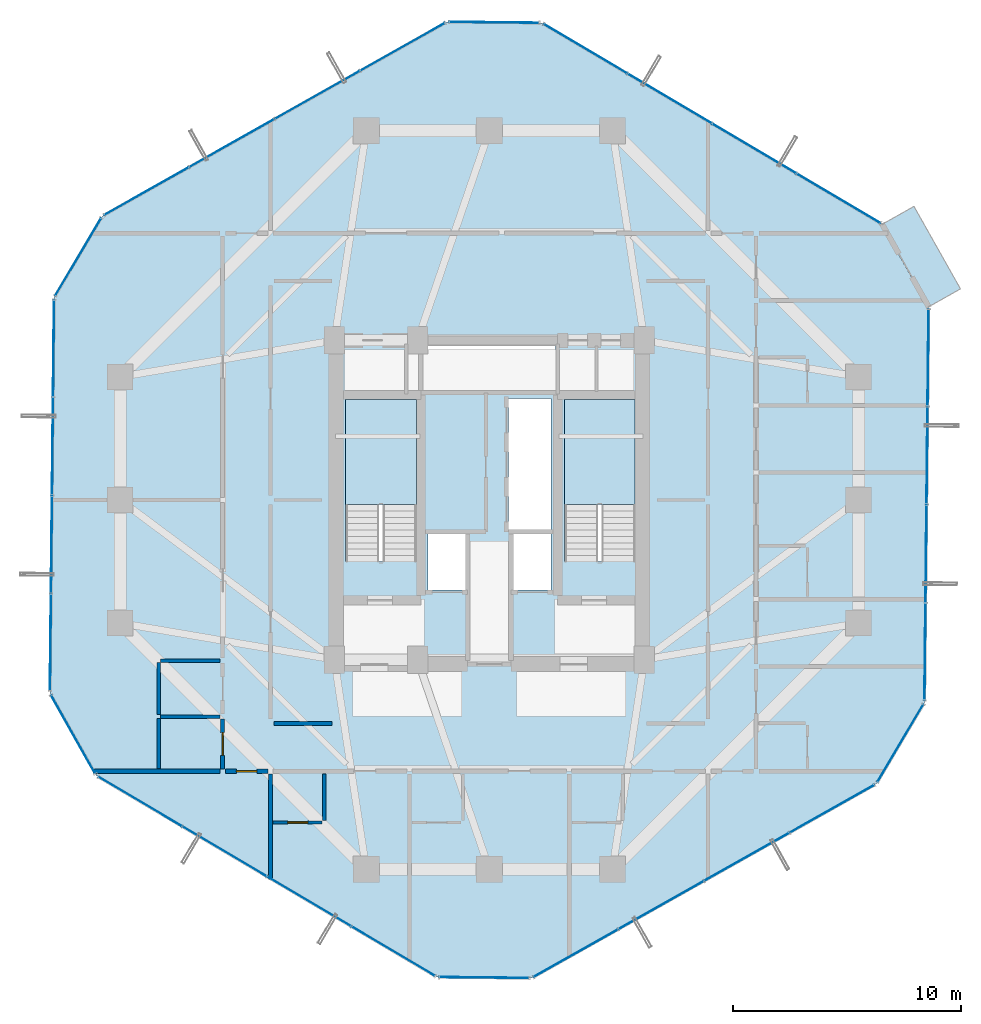
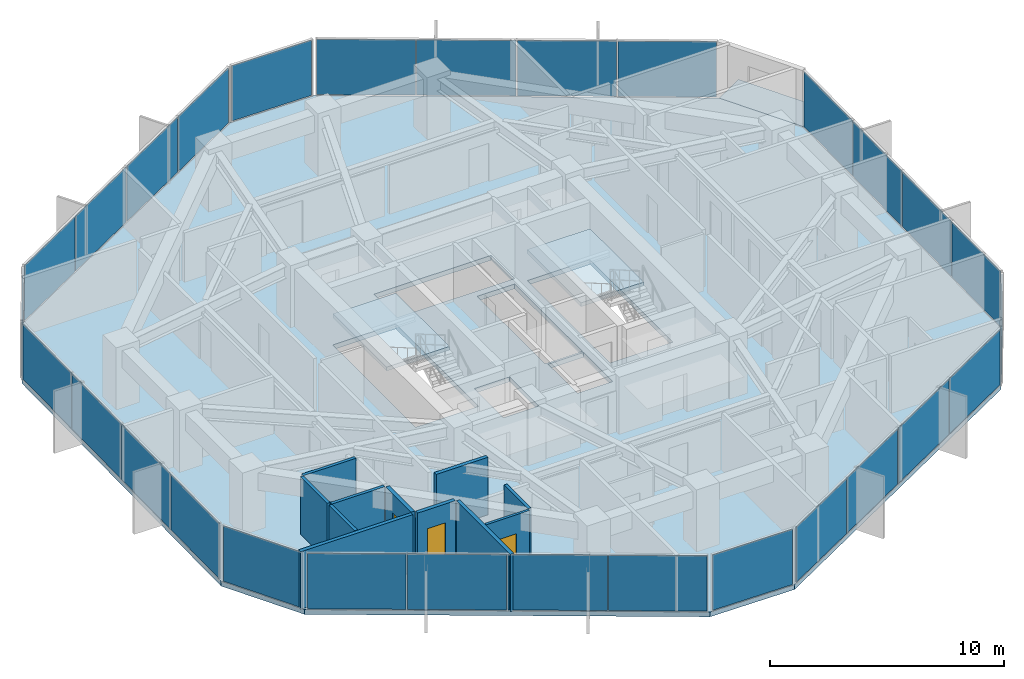
# One storey, part 25 of 30: 29 plates, 11 walls, 4 slabs, 3 doors, 3 openings, 13 elements without a shape of their own.
"""IFC4 building model written with IfcOpenShell, lengths in metres."""

from ifc_helpers import new_model, si_unit, direction, frame, frame_2d, origin, origin_2d, place, context, subcontext, project, spatial, polyline, rectangle, outline, extrude, source, transform, mapped, material, layer, layer_set, type_object, element, fill, aggregate, save


model = new_model("IFC4")

# Units and contexts
model_context = context("Model", 3, precision=1e-05, world=origin(), true_north=direction((0.0, 1.0)))
body_context = subcontext(model_context, "Body", "Model", "MODEL_VIEW")
ifc_project = project(units=[si_unit("LENGTHUNIT", "METRE"), si_unit("AREAUNIT", "SQUARE_METRE"), si_unit("VOLUMEUNIT", "CUBIC_METRE"), si_unit("PLANEANGLEUNIT", "RADIAN"), si_unit("MASSUNIT", "GRAM", prefix="KILO")], contexts=[model_context])

# Site, building, storey
site_placement = place(None, origin())
site = spatial("IfcSite", under=ifc_project, at=site_placement, CompositionType="ELEMENT")
building_placement = place(site_placement, origin())
building = spatial("IfcBuilding", under=site, at=building_placement, Name="Veraguas Prism Commons", CompositionType="ELEMENT")
storey_placement = place(building_placement, frame((0.0, 0.0, 126.25)))
storey = spatial("IfcBuildingStorey", under=building, at=storey_placement, Name="L35", CompositionType="ELEMENT", Elevation=126.25)

# Stair, slab
ifc_material_1 = material(Name="Precast concrete C45/55", Category="concrete")
stair_type = type_object("IfcStairType", Name="Dogleg Core Stair 1480W 20R 05", PredefinedType="HALF_TURN_STAIR", material=ifc_material_1)
stair_1_placement = place(storey_placement, origin())
stair_1 = element("IfcStair", 1, at=stair_1_placement, inside=storey, type_object=stair_type, Name="Protected Exit Stair ST-01 L35", PredefinedType="HALF_TURN_STAIR")
ifc_layer_1 = layer(ifc_material_1, 0.199951171875, Name="Precast Stair and Ramp Landing Slab 200", Category="concrete")
ifc_layer_set_1 = layer_set([ifc_layer_1], Name="Precast concrete C45/55")
slab_type_1 = type_object("IfcSlabType", Name="Precast Stair and Ramp Landing Slab 200", PredefinedType="LANDING", material=ifc_layer_set_1)
slab_1_placement = place(storey_placement, frame((0.0, 0.0, 1.425048828125)))
slab_1 = element("IfcSlab", 2, at=slab_1_placement, type_object=slab_type_1, Name="ST-05 Landing 1", PredefinedType="LANDING", context=body_context, shape_type="SweptSolid", body=[
    extrude(outline(polyline([(20.800048828125, 23.800048828125), (20.800048828125, 28.39990234375), (17.68994140625, 28.39990234375), (17.68994140625, 23.800048828125), (20.800048828125, 23.800048828125)])), origin(), (0.0, 0.0, 1.0), 0.199951171875),
])
aggregate(stair_1, [slab_1])

stair_2_placement = place(storey_placement, origin())
stair_2 = element("IfcStair", 3, at=stair_2_placement, inside=storey, type_object=stair_type, Name="Protected Exit Stair ST-02 L35", PredefinedType="HALF_TURN_STAIR")
slab_2_placement = place(storey_placement, frame((0.0, 0.0, 1.425048828125)))
slab_2 = element("IfcSlab", 4, at=slab_2_placement, type_object=slab_type_1, Name="ST-05 Landing 1", PredefinedType="LANDING", context=body_context, shape_type="SweptSolid", body=[
    extrude(outline(polyline([(30.39990234375, 23.800048828125), (30.39990234375, 28.39990234375), (27.2900390625, 28.39990234375), (27.2900390625, 23.800048828125), (30.39990234375, 23.800048828125)])), origin(), (0.0, 0.0, 1.0), 0.199951171875),
])
aggregate(stair_2, [slab_2])

# Slabs
ifc_material_2 = material(Name="Concrete C45/55", Category="concrete")
ifc_layer_2 = layer(ifc_material_2, 0.219970703125, Name="Recessed Loggia and Terrace Slab RC 220", Category="concrete")
ifc_layer_set_2 = layer_set([ifc_layer_2], Name="Concrete C45/55")
slab_type_2 = type_object("IfcSlabType", Name="Recessed Loggia and Terrace Slab RC 220", PredefinedType="FLOOR", material=ifc_layer_set_2)
slab_3_placement = place(storey_placement, frame((0.0, 0.0, -0.219970703125)))
element("IfcSlab", 5, at=slab_3_placement, inside=storey, type_object=slab_type_2, Name="Recessed Corner Loggia L35-C1", PredefinedType="FLOOR", context=body_context, shape_type="SweptSolid", body=[
    extrude(outline(polyline([(43.2548828125, 32.466064453125), (44.666259765625, 33.26123046875), (42.62744140625, 36.87939453125), (41.216064453125, 36.084228515625), (43.2548828125, 32.466064453125)])), origin(), (0.0, 0.0, 1.0), 0.219970703125),
])
ifc_layer_3 = layer(ifc_material_2, 0.25, Name="Tower Lower Residential Floor Slab RC 250", Category="concrete")
ifc_layer_set_3 = layer_set([ifc_layer_3], Name="Concrete C45/55")
slab_type_3 = type_object("IfcSlabType", Name="Tower Lower Residential Floor Slab RC 250", PredefinedType="FLOOR", material=ifc_layer_set_3)
slab_4_placement = place(storey_placement, frame((0.0, 0.0, -0.25)))
element("IfcSlab", 6, at=slab_4_placement, inside=storey, type_object=slab_type_3, Name="Tower Floor Slab L35", PredefinedType="FLOOR", context=body_context, shape_type="SweptSolid", body=[
    extrude(outline(polyline([(43.272216796875, 32.475830078125), (41.2333984375, 36.093994140625), (26.2958984375, 44.92822265625), (22.142822265625, 44.9716796875), (7.023681640625, 36.452392578125), (4.909423828125, 32.877685546875), (4.727783203125, 15.524169921875), (6.7666015625, 11.906005859375), (21.7041015625, 3.07177734375), (25.857177734375, 3.0283203125), (40.976318359375, 11.547607421875), (43.090576171875, 15.122314453125), (43.272216796875, 32.475830078125)]), holes=[polyline([(20.800048828125, 21.31005859375), (20.800048828125, 28.39990234375), (17.68994140625, 28.39990234375), (17.68994140625, 21.31005859375), (20.800048828125, 21.31005859375)]), polyline([(30.39990234375, 21.31005859375), (30.39990234375, 28.39990234375), (27.2900390625, 28.39990234375), (27.2900390625, 21.31005859375), (30.39990234375, 21.31005859375)]), polyline([(24.85009765625, 22.64990234375), (26.699951171875, 22.64990234375), (26.699951171875, 28.449951171875), (24.85009765625, 28.449951171875), (24.85009765625, 22.64990234375)]), polyline([(21.10009765625, 28.800048828125), (26.89990234375, 28.800048828125), (26.89990234375, 30.800048828125), (21.10009765625, 30.800048828125), (21.10009765625, 28.800048828125)]), polyline([(21.300048828125, 20.050048828125), (23.050048828125, 20.050048828125), (23.050048828125, 22.550048828125), (21.300048828125, 22.550048828125), (21.300048828125, 20.050048828125)]), polyline([(24.949951171875, 20.050048828125), (26.699951171875, 20.050048828125), (26.699951171875, 22.550048828125), (24.949951171875, 22.550048828125), (24.949951171875, 20.050048828125)])]), origin(), (0.0, 0.0, 1.0), 0.25),
])

# Curtain wall, plates
ifc_material_3 = material(Name="Anodised aluminium EN AW-6063 T6", Category="aluminium")
ifc_layer_4 = layer(ifc_material_3, 0.169921875, Name="Unitised Flush Curtain Wall Zone 2", Category="aluminium")
ifc_layer_set_4 = layer_set([ifc_layer_4], Name="Anodised aluminium EN AW-6063 T6")
curtain_wall_type = type_object("IfcCurtainWallType", Name="Unitised Flush Curtain Wall Zone 2", PredefinedType="NOTDEFINED", material=ifc_layer_set_4)
curtain_wall_1_placement = place(storey_placement, origin())
curtain_wall_1 = element("IfcCurtainWall", 7, at=curtain_wall_1_placement, inside=storey, type_object=curtain_wall_type, Name="Tower Facade Curtain Wall L35-F2", PredefinedType="NOTDEFINED")
ifc_material_4 = material(Name="Laminated low-e glass", Category="glass")
ifc_layer_5 = layer(ifc_material_4, 0.028076171875, Name="Unitised Double Low-E Glazed Panel 28", Category="glass")
ifc_layer_set_5 = layer_set([ifc_layer_5], Name="Laminated low-e glass")
plate_type = type_object("IfcPlateType", Name="Unitised Double Low-E Glazed Panel 28", PredefinedType="CURTAIN_PANEL", material=ifc_layer_set_5)
shared_shape_1 = source(origin(), body_context, "Body", "SweptSolid", [
    extrude(rectangle(XDim=4.218505859375, YDim=0.028076171875, at=origin_2d()), origin(), (0.0, 0.0, 1.0), 2.889892578125),
])
plate_1_placement = place(storey_placement, frame((20.20068359375, 43.877197265625, 0.05517578125), z_axis=(0.0, 0.0, 1.0), x_axis=(-0.871214667908, -0.490902233059, 0.0)))
plate_1 = element("IfcPlate", 8, at=plate_1_placement, type_object=plate_type, Name="CW-Z2 Panel 1.1", PredefinedType="CURTAIN_PANEL", context=body_context, shape_type="MappedRepresentation", body=[
    mapped(shared_shape_1, transform((0.0, 0.0, 0.0), scale=1.0)),
])
plate_2_placement = place(storey_placement, frame((8.9658203125, 37.546875, 0.05517578125), z_axis=(0.0, 0.0, 1.0), x_axis=(-0.871214667908, -0.490902233059, 0.0)))
plate_2 = element("IfcPlate", 9, at=plate_2_placement, type_object=plate_type, Name="CW-Z2 Panel 4.1", PredefinedType="CURTAIN_PANEL", context=body_context, shape_type="MappedRepresentation", body=[
    mapped(shared_shape_1, transform((0.0, 0.0, 0.0), scale=1.0)),
])

curtain_wall_2_placement = place(storey_placement, origin())
curtain_wall_2 = element("IfcCurtainWall", 10, at=curtain_wall_2_placement, inside=storey, type_object=curtain_wall_type, Name="Tower Facade Curtain Wall L35-F3", PredefinedType="NOTDEFINED")
plate_3_placement = place(storey_placement, frame((4.88623046875, 30.6484375, 0.05517578125), z_axis=(0.0, 0.0, 1.0), x_axis=(-0.01047876505, -0.999945096234, 0.0)))
plate_3 = element("IfcPlate", 11, at=plate_3_placement, type_object=plate_type, Name="CW-Z2 Panel 1.1", PredefinedType="CURTAIN_PANEL", context=body_context, shape_type="MappedRepresentation", body=[
    mapped(shared_shape_1, transform((0.0, 0.0, 0.0), scale=1.0)),
])
plate_4_placement = place(storey_placement, frame((4.7509765625, 17.75341796875, 0.05517578125), z_axis=(0.0, 0.0, 1.0), x_axis=(-0.01047876505, -0.999945096234, 0.0)))
plate_4 = element("IfcPlate", 12, at=plate_4_placement, type_object=plate_type, Name="CW-Z2 Panel 4.1", PredefinedType="CURTAIN_PANEL", context=body_context, shape_type="MappedRepresentation", body=[
    mapped(shared_shape_1, transform((0.0, 0.0, 0.0), scale=1.0)),
])

curtain_wall_3_placement = place(storey_placement, origin())
curtain_wall_3 = element("IfcCurtainWall", 13, at=curtain_wall_3_placement, inside=storey, type_object=curtain_wall_type, Name="Tower Facade Curtain Wall L35-F5", PredefinedType="NOTDEFINED")
plate_5_placement = place(storey_placement, frame((27.79931640625, 4.122802734375, 0.05517578125), z_axis=(0.0, 0.0, 1.0), x_axis=(0.871214667908, 0.490902233059, 0.0)))
plate_5 = element("IfcPlate", 14, at=plate_5_placement, type_object=plate_type, Name="CW-Z2 Panel 1.1", PredefinedType="CURTAIN_PANEL", context=body_context, shape_type="MappedRepresentation", body=[
    mapped(shared_shape_1, transform((0.0, 0.0, 0.0), scale=1.0)),
])
plate_6_placement = place(storey_placement, frame((39.0341796875, 10.453125, 0.05517578125), z_axis=(0.0, 0.0, 1.0), x_axis=(0.871214667908, 0.490902233059, 0.0)))
plate_6 = element("IfcPlate", 15, at=plate_6_placement, type_object=plate_type, Name="CW-Z2 Panel 4.1", PredefinedType="CURTAIN_PANEL", context=body_context, shape_type="MappedRepresentation", body=[
    mapped(shared_shape_1, transform((0.0, 0.0, 0.0), scale=1.0)),
])

curtain_wall_4_placement = place(storey_placement, origin())
curtain_wall_4 = element("IfcCurtainWall", 16, at=curtain_wall_4_placement, inside=storey, type_object=curtain_wall_type, Name="Tower Facade Curtain Wall L35-F6", PredefinedType="NOTDEFINED")
plate_7_placement = place(storey_placement, frame((43.11376953125, 17.3515625, 0.05517578125), z_axis=(0.0, 0.0, 1.0), x_axis=(0.01047876505, 0.999945096234, 0.0)))
plate_7 = element("IfcPlate", 17, at=plate_7_placement, type_object=plate_type, Name="CW-Z2 Panel 1.1", PredefinedType="CURTAIN_PANEL", context=body_context, shape_type="MappedRepresentation", body=[
    mapped(shared_shape_1, transform((0.0, 0.0, 0.0), scale=1.0)),
])
plate_8_placement = place(storey_placement, frame((43.2490234375, 30.24658203125, 0.05517578125), z_axis=(0.0, 0.0, 1.0), x_axis=(0.01047876505, 0.999945096234, 0.0)))
plate_8 = element("IfcPlate", 18, at=plate_8_placement, type_object=plate_type, Name="CW-Z2 Panel 4.1", PredefinedType="CURTAIN_PANEL", context=body_context, shape_type="MappedRepresentation", body=[
    mapped(shared_shape_1, transform((0.0, 0.0, 0.0), scale=1.0)),
])

curtain_wall_5_placement = place(storey_placement, origin())
curtain_wall_5 = element("IfcCurtainWall", 19, at=curtain_wall_5_placement, inside=storey, type_object=curtain_wall_type, Name="Tower Facade Curtain Wall L35-F1", PredefinedType="NOTDEFINED")
shared_shape_2 = source(origin(), body_context, "Body", "SweptSolid", [
    extrude(rectangle(XDim=4.24853515625, YDim=0.028076171875, at=origin_2d()), origin(), (0.0, 0.0, 1.0), 2.889892578125),
])
plate_9_placement = place(storey_placement, frame((35.618896484375, 39.41455078125, 0.05517578125), z_axis=(0.0, 0.0, 1.0), x_axis=(-0.860742027004, 0.50904141575, 0.0)))
plate_9 = element("IfcPlate", 20, at=plate_9_placement, type_object=plate_type, Name="CW-Z2 Panel 2.1", PredefinedType="CURTAIN_PANEL", context=body_context, shape_type="MappedRepresentation", body=[
    mapped(shared_shape_2, transform((0.0, 0.0, 0.0), scale=1.0)),
])
plate_10_placement = place(storey_placement, frame((31.910400390625, 41.607666015625, 0.05517578125), z_axis=(0.0, 0.0, 1.0), x_axis=(-0.860742027004, 0.50904141575, 0.0)))
plate_10 = element("IfcPlate", 21, at=plate_10_placement, type_object=plate_type, Name="CW-Z2 Panel 3.1", PredefinedType="CURTAIN_PANEL", context=body_context, shape_type="MappedRepresentation", body=[
    mapped(shared_shape_2, transform((0.0, 0.0, 0.0), scale=1.0)),
])

# Plate
plate_11_placement = place(storey_placement, frame((16.460205078125, 41.76953125, 0.05517578125), z_axis=(0.0, 0.0, 1.0), x_axis=(-0.871214667908, -0.490902233059, 0.0)))
plate_11 = element("IfcPlate", 22, at=plate_11_placement, type_object=plate_type, Name="CW-Z2 Panel 2.1", PredefinedType="CURTAIN_PANEL", context=body_context, shape_type="MappedRepresentation", body=[
    mapped(shared_shape_2, transform((0.0, 0.0, 0.0), scale=1.0)),
])

plate_12_placement = place(storey_placement, frame((12.706298828125, 39.654541015625, 0.05517578125), z_axis=(0.0, 0.0, 1.0), x_axis=(-0.871214667908, -0.490902233059, 0.0)))
plate_12 = element("IfcPlate", 23, at=plate_12_placement, type_object=plate_type, Name="CW-Z2 Panel 3.1", PredefinedType="CURTAIN_PANEL", context=body_context, shape_type="MappedRepresentation", body=[
    mapped(shared_shape_2, transform((0.0, 0.0, 0.0), scale=1.0)),
])

aggregate(curtain_wall_1, [plate_1, plate_11, plate_12, plate_2])

plate_13_placement = place(storey_placement, frame((4.841064453125, 26.35498046875, 0.05517578125), z_axis=(0.0, 0.0, 1.0), x_axis=(-0.01047876505, -0.999945096234, 0.0)))
plate_13 = element("IfcPlate", 24, at=plate_13_placement, type_object=plate_type, Name="CW-Z2 Panel 2.1", PredefinedType="CURTAIN_PANEL", context=body_context, shape_type="MappedRepresentation", body=[
    mapped(shared_shape_2, transform((0.0, 0.0, 0.0), scale=1.0)),
])

plate_14_placement = place(storey_placement, frame((4.796142578125, 22.046630859375, 0.05517578125), z_axis=(0.0, 0.0, 1.0), x_axis=(-0.01047876505, -0.999945096234, 0.0)))
plate_14 = element("IfcPlate", 25, at=plate_14_placement, type_object=plate_type, Name="CW-Z2 Panel 3.1", PredefinedType="CURTAIN_PANEL", context=body_context, shape_type="MappedRepresentation", body=[
    mapped(shared_shape_2, transform((0.0, 0.0, 0.0), scale=1.0)),
])

aggregate(curtain_wall_2, [plate_3, plate_13, plate_14, plate_4])

# Curtain wall, plates
curtain_wall_6_placement = place(storey_placement, origin())
curtain_wall_6 = element("IfcCurtainWall", 26, at=curtain_wall_6_placement, inside=storey, type_object=curtain_wall_type, Name="Tower Facade Curtain Wall L35-F4", PredefinedType="NOTDEFINED")
plate_15_placement = place(storey_placement, frame((12.381103515625, 8.58544921875, 0.05517578125), z_axis=(0.0, 0.0, 1.0), x_axis=(0.860742027004, -0.50904141575, 0.0)))
plate_15 = element("IfcPlate", 27, at=plate_15_placement, type_object=plate_type, Name="CW-Z2 Panel 2.1", PredefinedType="CURTAIN_PANEL", context=body_context, shape_type="MappedRepresentation", body=[
    mapped(shared_shape_2, transform((0.0, 0.0, 0.0), scale=1.0)),
])
plate_16_placement = place(storey_placement, frame((16.089599609375, 6.392333984375, 0.05517578125), z_axis=(0.0, 0.0, 1.0), x_axis=(0.860742027004, -0.50904141575, 0.0)))
plate_16 = element("IfcPlate", 28, at=plate_16_placement, type_object=plate_type, Name="CW-Z2 Panel 3.1", PredefinedType="CURTAIN_PANEL", context=body_context, shape_type="MappedRepresentation", body=[
    mapped(shared_shape_2, transform((0.0, 0.0, 0.0), scale=1.0)),
])

# Plate
plate_17_placement = place(storey_placement, frame((31.539794921875, 6.23046875, 0.05517578125), z_axis=(0.0, 0.0, 1.0), x_axis=(0.871214667908, 0.490902233059, 0.0)))
plate_17 = element("IfcPlate", 29, at=plate_17_placement, type_object=plate_type, Name="CW-Z2 Panel 2.1", PredefinedType="CURTAIN_PANEL", context=body_context, shape_type="MappedRepresentation", body=[
    mapped(shared_shape_2, transform((0.0, 0.0, 0.0), scale=1.0)),
])

plate_18_placement = place(storey_placement, frame((35.293701171875, 8.345458984375, 0.05517578125), z_axis=(0.0, 0.0, 1.0), x_axis=(0.871214667908, 0.490902233059, 0.0)))
plate_18 = element("IfcPlate", 30, at=plate_18_placement, type_object=plate_type, Name="CW-Z2 Panel 3.1", PredefinedType="CURTAIN_PANEL", context=body_context, shape_type="MappedRepresentation", body=[
    mapped(shared_shape_2, transform((0.0, 0.0, 0.0), scale=1.0)),
])

aggregate(curtain_wall_3, [plate_5, plate_17, plate_18, plate_6])

plate_19_placement = place(storey_placement, frame((43.158935546875, 21.64501953125, 0.05517578125), z_axis=(0.0, 0.0, 1.0), x_axis=(0.01047876505, 0.999945096234, 0.0)))
plate_19 = element("IfcPlate", 31, at=plate_19_placement, type_object=plate_type, Name="CW-Z2 Panel 2.1", PredefinedType="CURTAIN_PANEL", context=body_context, shape_type="MappedRepresentation", body=[
    mapped(shared_shape_2, transform((0.0, 0.0, 0.0), scale=1.0)),
])

plate_20_placement = place(storey_placement, frame((43.203857421875, 25.953369140625, 0.05517578125), z_axis=(0.0, 0.0, 1.0), x_axis=(0.01047876505, 0.999945096234, 0.0)))
plate_20 = element("IfcPlate", 32, at=plate_20_placement, type_object=plate_type, Name="CW-Z2 Panel 3.1", PredefinedType="CURTAIN_PANEL", context=body_context, shape_type="MappedRepresentation", body=[
    mapped(shared_shape_2, transform((0.0, 0.0, 0.0), scale=1.0)),
])

aggregate(curtain_wall_4, [plate_7, plate_19, plate_20, plate_8])

# Curtain wall, plate
curtain_wall_7_placement = place(storey_placement, origin())
curtain_wall_7 = element("IfcCurtainWall", 33, at=curtain_wall_7_placement, inside=storey, type_object=curtain_wall_type, Name="Chamfer Curtain Wall L35-C2", PredefinedType="NOTDEFINED")
shared_shape_3 = source(origin(), body_context, "Body", "SweptSolid", [
    extrude(rectangle(XDim=3.9130859375, YDim=0.028076171875, at=origin_2d()), origin(), (0.0, 0.0, 1.0), 2.889892578125),
])
plate_21_placement = place(storey_placement, frame((24.21923828125, 44.949951171875, 0.05517578125), z_axis=(0.0, 0.0, 1.0), x_axis=(-0.999945004752, 0.010487491217, 0.0)))
plate_21 = element("IfcPlate", 34, at=plate_21_placement, type_object=plate_type, Name="CW-Z2 Panel 1.1", PredefinedType="CURTAIN_PANEL", context=body_context, shape_type="MappedRepresentation", body=[
    mapped(shared_shape_3, transform((0.0, 0.0, 0.0), scale=1.0)),
])
aggregate(curtain_wall_7, [plate_21])

curtain_wall_8_placement = place(storey_placement, origin())
curtain_wall_8 = element("IfcCurtainWall", 35, at=curtain_wall_8_placement, inside=storey, type_object=curtain_wall_type, Name="Chamfer Curtain Wall L35-C4", PredefinedType="NOTDEFINED")
plate_22_placement = place(storey_placement, frame((5.7470703125, 13.715087890625, 0.05517578125), z_axis=(0.0, 0.0, 1.0), x_axis=(0.490891589128, -0.871220665345, 0.0)))
plate_22 = element("IfcPlate", 36, at=plate_22_placement, type_object=plate_type, Name="CW-Z2 Panel 1.1", PredefinedType="CURTAIN_PANEL", context=body_context, shape_type="MappedRepresentation", body=[
    mapped(shared_shape_3, transform((0.0, 0.0, 0.0), scale=1.0)),
])
aggregate(curtain_wall_8, [plate_22])

curtain_wall_9_placement = place(storey_placement, origin())
curtain_wall_9 = element("IfcCurtainWall", 37, at=curtain_wall_9_placement, inside=storey, type_object=curtain_wall_type, Name="Chamfer Curtain Wall L35-C5", PredefinedType="NOTDEFINED")
plate_23_placement = place(storey_placement, frame((23.78076171875, 3.050048828125, 0.05517578125), z_axis=(0.0, 0.0, 1.0), x_axis=(0.999945004752, -0.010487491217, 0.0)))
plate_23 = element("IfcPlate", 38, at=plate_23_placement, type_object=plate_type, Name="CW-Z2 Panel 1.1", PredefinedType="CURTAIN_PANEL", context=body_context, shape_type="MappedRepresentation", body=[
    mapped(shared_shape_3, transform((0.0, 0.0, 0.0), scale=1.0)),
])
aggregate(curtain_wall_9, [plate_23])

curtain_wall_10_placement = place(storey_placement, origin())
curtain_wall_10 = element("IfcCurtainWall", 39, at=curtain_wall_10_placement, inside=storey, type_object=curtain_wall_type, Name="Chamfer Curtain Wall L35-C3", PredefinedType="NOTDEFINED")
shared_shape_4 = source(origin(), body_context, "Body", "SweptSolid", [
    extrude(rectangle(XDim=3.913330078125, YDim=0.028076171875, at=origin_2d()), origin(), (0.0, 0.0, 1.0), 2.889892578125),
])
plate_24_placement = place(storey_placement, frame((5.966552734375, 34.6650390625, 0.05517578125), z_axis=(0.0, 0.0, 1.0), x_axis=(-0.50904141575, -0.860742027004, 0.0)))
plate_24 = element("IfcPlate", 40, at=plate_24_placement, type_object=plate_type, Name="CW-Z2 Panel 1.1", PredefinedType="CURTAIN_PANEL", context=body_context, shape_type="MappedRepresentation", body=[
    mapped(shared_shape_4, transform((0.0, 0.0, 0.0), scale=1.0)),
])
aggregate(curtain_wall_10, [plate_24])

curtain_wall_11_placement = place(storey_placement, origin())
curtain_wall_11 = element("IfcCurtainWall", 41, at=curtain_wall_11_placement, inside=storey, type_object=curtain_wall_type, Name="Chamfer Curtain Wall L35-C6", PredefinedType="NOTDEFINED")
plate_25_placement = place(storey_placement, frame((42.033447265625, 13.3349609375, 0.05517578125), z_axis=(0.0, 0.0, 1.0), x_axis=(0.50904141575, 0.860742027004, 0.0)))
plate_25 = element("IfcPlate", 42, at=plate_25_placement, type_object=plate_type, Name="CW-Z2 Panel 1.1", PredefinedType="CURTAIN_PANEL", context=body_context, shape_type="MappedRepresentation", body=[
    mapped(shared_shape_4, transform((0.0, 0.0, 0.0), scale=1.0)),
])
aggregate(curtain_wall_11, [plate_25])

# Plate
shared_shape_5 = source(origin(), body_context, "Body", "SweptSolid", [
    extrude(rectangle(XDim=4.21875, YDim=0.028076171875, at=origin_2d()), origin(), (0.0, 0.0, 1.0), 2.889892578125),
])
plate_26_placement = place(storey_placement, frame((39.314697265625, 37.228759765625, 0.05517578125), z_axis=(0.0, 0.0, 1.0), x_axis=(-0.860742027004, 0.50904141575, 0.0)))
plate_26 = element("IfcPlate", 43, at=plate_26_placement, type_object=plate_type, Name="CW-Z2 Panel 1.1", PredefinedType="CURTAIN_PANEL", context=body_context, shape_type="MappedRepresentation", body=[
    mapped(shared_shape_5, transform((0.0, 0.0, 0.0), scale=1.0)),
])

plate_27_placement = place(storey_placement, frame((28.214599609375, 43.79345703125, 0.05517578125), z_axis=(0.0, 0.0, 1.0), x_axis=(-0.860742027004, 0.50904141575, 0.0)))
plate_27 = element("IfcPlate", 44, at=plate_27_placement, type_object=plate_type, Name="CW-Z2 Panel 4.1", PredefinedType="CURTAIN_PANEL", context=body_context, shape_type="MappedRepresentation", body=[
    mapped(shared_shape_5, transform((0.0, 0.0, 0.0), scale=1.0)),
])

aggregate(curtain_wall_5, [plate_26, plate_9, plate_10, plate_27])

plate_28_placement = place(storey_placement, frame((8.685302734375, 10.771240234375, 0.05517578125), z_axis=(0.0, 0.0, 1.0), x_axis=(0.860742027004, -0.50904141575, 0.0)))
plate_28 = element("IfcPlate", 45, at=plate_28_placement, type_object=plate_type, Name="CW-Z2 Panel 1.1", PredefinedType="CURTAIN_PANEL", context=body_context, shape_type="MappedRepresentation", body=[
    mapped(shared_shape_5, transform((0.0, 0.0, 0.0), scale=1.0)),
])

plate_29_placement = place(storey_placement, frame((19.785400390625, 4.20654296875, 0.05517578125), z_axis=(0.0, 0.0, 1.0), x_axis=(0.860742027004, -0.50904141575, 0.0)))
plate_29 = element("IfcPlate", 46, at=plate_29_placement, type_object=plate_type, Name="CW-Z2 Panel 4.1", PredefinedType="CURTAIN_PANEL", context=body_context, shape_type="MappedRepresentation", body=[
    mapped(shared_shape_5, transform((0.0, 0.0, 0.0), scale=1.0)),
])

aggregate(curtain_wall_6, [plate_28, plate_15, plate_16, plate_29])

# Walls
ifc_material_5 = material(Name="Autoclaved aerated masonry block 10 MPa", Category="masonry")
ifc_layer_6 = layer(ifc_material_5, 0.179931640625, Name="Corridor and Inter-Tenancy Partition 180", Category="masonry")
ifc_layer_set_6 = layer_set([ifc_layer_6], Name="Autoclaved aerated masonry block 10 MPa")
wall_type_1 = type_object("IfcWallType", Name="Corridor and Inter-Tenancy Partition 180", PredefinedType="PARTITIONING", material=ifc_layer_set_6)
wall_1_placement = place(storey_placement, frame((14.550048828125, 14.199951171875, 0.0), z_axis=(0.0, 0.0, 1.0), x_axis=(1.0, 0.0, 0.0)))
element("IfcWall", 47, at=wall_1_placement, inside=storey, type_object=wall_type_1, Name="WL-L35-IRWS", PredefinedType="PARTITIONING", context=body_context, shape_type="SweptSolid", body=[
    extrude(rectangle(XDim=2.550048828125, YDim=0.179931640625, at=frame_2d((1.27490234375, 0.0))), origin(), (0.0, 0.0, 1.0), 3.0),
])
wall_2_placement = place(storey_placement, frame((14.39990234375, 11.97998046875, 0.0), z_axis=(0.0, 0.0, 1.0), x_axis=(0.0, -1.0, 0.0)))
element("IfcWall", 48, at=wall_2_placement, inside=storey, type_object=wall_type_1, Name="WL-L35-PT001", PredefinedType="PARTITIONING", context=body_context, shape_type="SweptSolid", body=[
    extrude(rectangle(XDim=4.623291015625, YDim=0.179931640625, at=frame_2d((2.3115234375, 0.0))), origin(), (0.0, 0.0, 1.0), 3.0),
])
wall_3_placement = place(storey_placement, frame((12.179931640625, 12.10009765625, 0.0), z_axis=(0.0, 0.0, 1.0), x_axis=(-1.0, 0.0, 0.0)))
element("IfcWall", 49, at=wall_3_placement, inside=storey, type_object=wall_type_1, Name="WL-L35-PT018", PredefinedType="PARTITIONING", context=body_context, shape_type="SweptSolid", body=[
    extrude(rectangle(XDim=5.55712890625, YDim=0.179931640625, at=frame_2d((2.778564453125, 0.0))), origin(), (0.0, 0.0, 1.0), 3.0),
])

# Wall, opening, door
wall_4_placement = place(storey_placement, frame((12.300048828125, 12.2099609375, 0.0), z_axis=(0.0, 0.0, 1.0), x_axis=(0.0, 1.0, 0.0)))
wall_4 = element("IfcWall", 50, at=wall_4_placement, inside=storey, type_object=wall_type_1, Name="WL-L35-PT020", PredefinedType="PARTITIONING", context=body_context, shape_type="SweptSolid", body=[
    extrude(rectangle(XDim=2.179931640625, YDim=0.179931640625, at=frame_2d((1.08984375, 0.0))), origin(), (0.0, 0.0, 1.0), 3.0),
])
opening_1_placement = place(wall_4_placement, frame((0.590087890625, 0.0, 0.0)))
opening_1 = element("IfcOpeningElement", 51, at=opening_1_placement, cuts=wall_4, Name="Opening DR-13", PredefinedType="OPENING", context=body_context, shape_type="SweptSolid", body=[
    extrude(rectangle(XDim=1.0, YDim=2.010009765625, at=frame_2d((0.5, 1.0048828125))), frame((0.0, 0.099853515625, 0.0), z_axis=(0.0, -1.0, 0.0), x_axis=(1.0, 0.0, 0.0)), (0.0, 0.0, 1.0), 0.199951171875),
])
ifc_material_6 = material(Name="Steel fire-rated door assembly", Category="steel")
door_type_1 = type_object("IfcDoorType", Name="Core Accessible WC and Clinic Fire Door 1000x2010", OperationType="NOTDEFINED", PredefinedType="DOOR", material=ifc_material_6)
shared_shape_6 = source(origin(), body_context, "Body", "SweptSolid", [
    extrude(rectangle(XDim=1.0, YDim=2.010009765625, at=frame_2d((0.5, 1.0048828125))), frame((0.0, 0.02490234375, 0.0), z_axis=(0.0, -1.0, 0.0), x_axis=(1.0, 0.0, 0.0)), (0.0, 0.0, 1.0), 0.050048828125),
])
door_1_placement = place(opening_1_placement, origin())
door_1 = element("IfcDoor", 52, at=door_1_placement, inside=storey, type_object=door_type_1, Name="Public WC L35 Door", OperationType="SINGLE_SWING_LEFT", OverallHeight=2.010009765625, OverallWidth=1.0, PredefinedType="DOOR", context=body_context, shape_type="MappedRepresentation", body=[
    mapped(shared_shape_6, transform((0.0, 0.0, 0.0), scale=1.0)),
])
fill(opening_1, door_1)

wall_5_placement = place(storey_placement, frame((12.419921875, 12.10009765625, 0.0), z_axis=(0.0, 0.0, 1.0), x_axis=(1.0, 0.0, 0.0)))
wall_5 = element("IfcWall", 53, at=wall_5_placement, inside=storey, type_object=wall_type_1, Name="WL-L35-PT048", PredefinedType="PARTITIONING", context=body_context, shape_type="SweptSolid", body=[
    extrude(rectangle(XDim=1.860107421875, YDim=0.179931640625, at=frame_2d((0.93017578125, 0.0))), origin(), (0.0, 0.0, 1.0), 3.0),
])
opening_2_placement = place(wall_5_placement, frame((0.47998046875, 0.0, 0.0)))
opening_2 = element("IfcOpeningElement", 54, at=opening_2_placement, cuts=wall_5, Name="Opening DR-14", PredefinedType="OPENING", context=body_context, shape_type="SweptSolid", body=[
    extrude(rectangle(XDim=0.89990234375, YDim=2.010009765625, at=frame_2d((0.449951171875, 1.0048828125))), frame((0.0, 0.099853515625, 0.0), z_axis=(0.0, -1.0, 0.0), x_axis=(1.0, 0.0, 0.0)), (0.0, 0.0, 1.0), 0.199951171875),
])
door_type_2 = type_object("IfcDoorType", Name="Core Service Room Fire Door 900x2010", OperationType="NOTDEFINED", PredefinedType="DOOR", material=ifc_material_6)
shared_shape_7 = source(origin(), body_context, "Body", "SweptSolid", [
    extrude(rectangle(XDim=0.89990234375, YDim=2.010009765625, at=frame_2d((0.449951171875, 1.0048828125))), frame((0.0, 0.02490234375, 0.0), z_axis=(0.0, -1.0, 0.0), x_axis=(1.0, 0.0, 0.0)), (0.0, 0.0, 1.0), 0.050048828125),
])
door_2_placement = place(opening_2_placement, origin())
door_2 = element("IfcDoor", 55, at=door_2_placement, inside=storey, type_object=door_type_2, Name="Corner Study SW Door", OperationType="SINGLE_SWING_RIGHT", OverallHeight=2.010009765625, OverallWidth=0.89990234375, PredefinedType="DOOR", context=body_context, shape_type="MappedRepresentation", body=[
    mapped(shared_shape_7, transform((0.0, 0.0, 0.0), scale=1.0)),
])
fill(opening_2, door_2)

ifc_material_7 = material(Name="Lightweight acoustic gypsum board")
ifc_layer_7 = layer(ifc_material_7, 0.125, Name="Internal Apartment Room Partition 125")
ifc_layer_set_7 = layer_set([ifc_layer_7], Name="Lightweight acoustic gypsum board")
wall_type_2 = type_object("IfcWallType", Name="Internal Apartment Room Partition 125", PredefinedType="PARTITIONING", material=ifc_layer_set_7)
wall_6_placement = place(storey_placement, frame((14.52001953125, 9.85009765625, 0.0), z_axis=(0.0, 0.0, 1.0), x_axis=(1.0, 0.0, 0.0)))
wall_6 = element("IfcWall", 56, at=wall_6_placement, inside=storey, type_object=wall_type_2, Name="WL-L35-PT005", PredefinedType="PARTITIONING", context=body_context, shape_type="SweptSolid", body=[
    extrude(rectangle(XDim=2.14990234375, YDim=0.125, at=frame_2d((1.074951171875, 0.0))), origin(), (0.0, 0.0, 1.0), 3.0),
])
opening_3_placement = place(wall_6_placement, frame((0.64501953125, 0.0, 0.0)))
opening_3 = element("IfcOpeningElement", 57, at=opening_3_placement, cuts=wall_6, Name="Opening DR-03", PredefinedType="OPENING", context=body_context, shape_type="SweptSolid", body=[
    extrude(rectangle(XDim=0.860107421875, YDim=2.010009765625, at=frame_2d((0.43017578125, 1.0048828125))), frame((0.0, 0.072509765625, 0.0), z_axis=(0.0, -1.0, 0.0), x_axis=(1.0, 0.0, 0.0)), (0.0, 0.0, 1.0), 0.14501953125),
])
ifc_material_8 = material(Name="Timber moisture-resistant leaf", Category="wood")
door_type_3 = type_object("IfcDoorType", Name="Internal Bathroom Door 860x2010", OperationType="NOTDEFINED", PredefinedType="DOOR", material=ifc_material_8)
shared_shape_8 = source(origin(), body_context, "Body", "SweptSolid", [
    extrude(rectangle(XDim=0.860107421875, YDim=2.010009765625, at=frame_2d((0.43017578125, 1.0048828125))), frame((0.0, 0.02490234375, 0.0), z_axis=(0.0, -1.0, 0.0), x_axis=(1.0, 0.0, 0.0)), (0.0, 0.0, 1.0), 0.050048828125),
])
door_3_placement = place(opening_3_placement, origin())
door_3 = element("IfcDoor", 58, at=door_3_placement, inside=storey, type_object=door_type_3, Name="Studio 35A Bathroom Door", OperationType="SINGLE_SWING_RIGHT", OverallHeight=2.010009765625, OverallWidth=0.860107421875, PredefinedType="DOOR", context=body_context, shape_type="MappedRepresentation", body=[
    mapped(shared_shape_8, transform((0.0, 0.0, 0.0), scale=1.0)),
])
fill(opening_3, door_3)

# Walls
ifc_layer_8 = layer(ifc_material_7, 0.14990234375, Name="Wet Room and Clinic Acoustic Partition 150")
ifc_layer_set_8 = layer_set([ifc_layer_8], Name="Lightweight acoustic gypsum board")
wall_type_3 = type_object("IfcWallType", Name="Wet Room and Clinic Acoustic Partition 150", PredefinedType="PARTITIONING", material=ifc_layer_set_8)
wall_7_placement = place(storey_placement, frame((16.75, 11.97998046875, 0.0), z_axis=(0.0, 0.0, 1.0), x_axis=(0.0, -1.0, 0.0)))
element("IfcWall", 59, at=wall_7_placement, inside=storey, type_object=wall_type_3, Name="WL-L35-PT004", PredefinedType="PARTITIONING", context=body_context, shape_type="SweptSolid", body=[
    extrude(rectangle(XDim=2.050048828125, YDim=0.14990234375, at=frame_2d((1.02490234375, 0.0))), origin(), (0.0, 0.0, 1.0), 3.0),
])
for number, where, z_axis, x_axis, name in (
    (60, (12.179931640625, 14.5, 0.0), (0.0, 0.0, 1.0), (-1.0, 0.0, 0.0), "WL-L35-PT024"),
    (61, (12.179931640625, 16.949951171875, 0.0), (0.0, 0.0, 1.0), (-1.0, 0.0, 0.0), "WL-L35-PT025"),
):
    element("IfcWall", number, at=place(storey_placement, frame(where, z_axis=z_axis, x_axis=x_axis)), inside=storey, type_object=wall_type_3, Name=name, PredefinedType="PARTITIONING", context=body_context, shape_type="SweptSolid", body=[
        extrude(rectangle(XDim=2.599853515625, YDim=0.14990234375, at=frame_2d((1.2998046875, 0.0))), origin(), (0.0, 0.0, 1.0), 3.0),
    ])
wall_8_placement = place(storey_placement, frame((9.5, 12.219970703125, 0.0), z_axis=(0.0, 0.0, 1.0), x_axis=(0.0, 1.0, 0.0)))
element("IfcWall", 62, at=wall_8_placement, inside=storey, type_object=wall_type_3, Name="WL-L35-PT026", PredefinedType="PARTITIONING", context=body_context, shape_type="SweptSolid", body=[
    extrude(rectangle(XDim=2.199951171875, YDim=0.14990234375, at=frame_2d((1.10009765625, 0.0))), origin(), (0.0, 0.0, 1.0), 3.0),
])
wall_9_placement = place(storey_placement, frame((9.5, 14.580078125, 0.0), z_axis=(0.0, 0.0, 1.0), x_axis=(0.0, 1.0, 0.0)))
element("IfcWall", 63, at=wall_9_placement, inside=storey, type_object=wall_type_3, Name="WL-L35-PT027", PredefinedType="PARTITIONING", context=body_context, shape_type="SweptSolid", body=[
    extrude(rectangle(XDim=2.2900390625, YDim=0.14990234375, at=frame_2d((1.14501953125, 0.0))), origin(), (0.0, 0.0, 1.0), 3.0),
])

save(model, "model.ifc")
